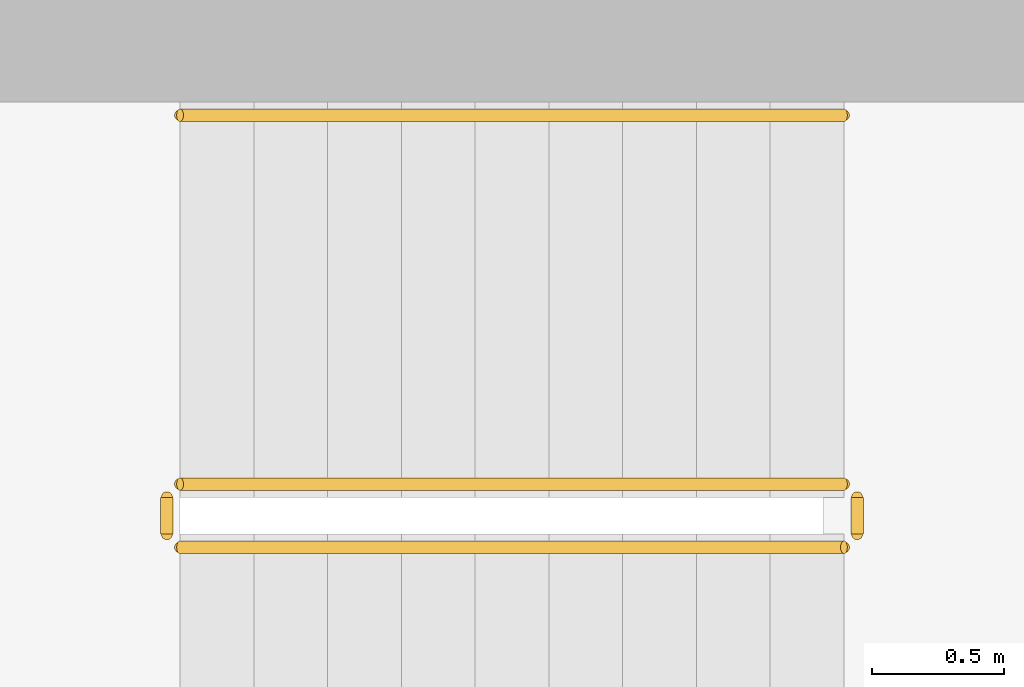
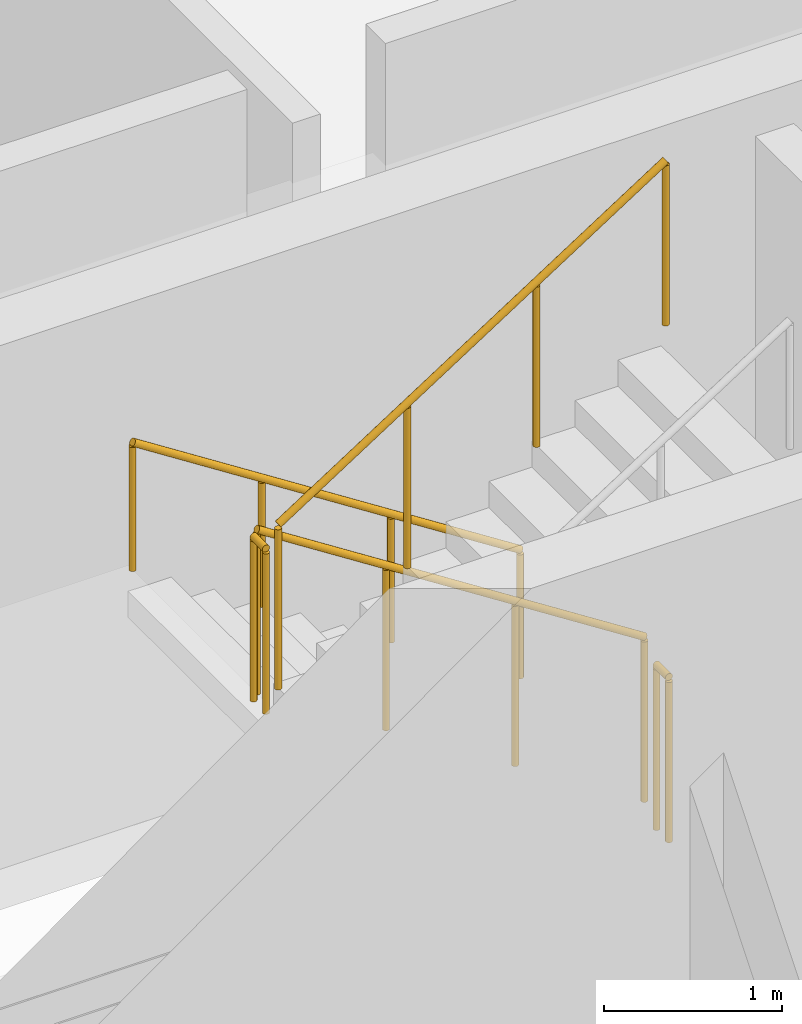
# One storey, part 12 of 13: 5 railings.
"""IFC4 building model written with IfcOpenShell, lengths in metres."""

from ifc_helpers import new_model, si_unit, derived_unit, direction, frame, origin, origin_2d, place, context, subcontext, project, spatial, circle, extrude, material, type_object, element, save


model = new_model("IFC4")

# Units and contexts
model_context = context("Model", 3, precision=1e-05, world=origin(), true_north=direction((0.0, 1.0)))
body_context = subcontext(model_context, "Body", "Model", "MODEL_VIEW")
ifc_project = project(units=[si_unit("LENGTHUNIT", "METRE"), si_unit("AREAUNIT", "SQUARE_METRE"), si_unit("VOLUMEUNIT", "CUBIC_METRE"), si_unit("PLANEANGLEUNIT", "RADIAN"), si_unit("MASSUNIT", "GRAM", prefix="KILO"), derived_unit("THERMALTRANSMITTANCEUNIT", [(si_unit("POWERUNIT", "WATT"), 1), (si_unit("LENGTHUNIT", "METRE"), -2), (si_unit("THERMODYNAMICTEMPERATUREUNIT", "KELVIN"), -1)])], contexts=[model_context])

# Site, building, storey
site_placement = place(None, origin())
site = spatial("IfcSite", under=ifc_project, at=site_placement, CompositionType="ELEMENT")
building_placement = place(site_placement, origin())
building = spatial("IfcBuilding", under=site, at=building_placement, Name="Kivonza Crest Hotel", CompositionType="ELEMENT")
storey_placement = place(building_placement, frame((0.0, 0.0, 231.5)))
storey = spatial("IfcBuildingStorey", under=building, at=storey_placement, Name="L63", CompositionType="ELEMENT", Elevation=231.5)

# Railings
ifc_material_1 = material(Name="Brushed stainless steel handrail", Category="steel")
railing_type_1 = type_object("IfcRailingType", Name="RL-HAND-900", PredefinedType="HANDRAIL", material=ifc_material_1)
railing_1_placement = place(storey_placement, frame((12.239990234375, 36.110107421875, 0.179931640625)))
element("IfcRailing", 1, at=railing_1_placement, inside=storey, type_object=railing_type_1, Name="L63 ST-T1-N stair handrail 1", PredefinedType="HANDRAIL", context=body_context, shape_type="SweptSolid", body=[
    extrude(circle(Radius=0.02392578125, at=origin_2d()), frame((0.0, 0.0, 0.8759765625), z_axis=(-0.841162588446, 0.0, 0.540782303519), x_axis=(0.0, -1.0, 0.0)), (0.0, 0.0, 1.0), 2.995849609375),
    extrude(circle(Radius=0.02099609375, at=origin_2d()), origin(), (0.0, 0.0, 1.0), 0.851806640625),
    extrude(circle(Radius=0.02099609375, at=origin_2d()), frame((-0.840087890625, 0.0, 0.5400390625)), (0.0, 0.0, 1.0), 0.851806640625),
    extrude(circle(Radius=0.02099609375, at=origin_2d()), frame((-1.679931640625, 0.0, 1.080078125)), (0.0, 0.0, 1.0), 0.851806640625),
    extrude(circle(Radius=0.02099609375, at=origin_2d()), frame((-2.52001953125, 0.0, 1.6201171875)), (0.0, 0.0, 1.0), 0.851806640625),
])
ifc_material_2 = material(Name="Painted steel balustrade", Category="steel")
railing_type_2 = type_object("IfcRailingType", Name="RL-STAIR-1150", PredefinedType="BALUSTRADE", material=ifc_material_2)
railing_2_placement = place(storey_placement, frame((12.239990234375, 34.7099609375, 0.179931640625)))
element("IfcRailing", 2, at=railing_2_placement, inside=storey, type_object=railing_type_2, Name="L63 ST-T1-N stair guard 1", PredefinedType="BALUSTRADE", context=body_context, shape_type="SweptSolid", body=[
    extrude(circle(Radius=0.02392578125, at=origin_2d()), frame((0.0, 0.0, 1.1259765625), z_axis=(-0.841162588446, 0.0, 0.540782303519), x_axis=(0.0, -1.0, 0.0)), (0.0, 0.0, 1.0), 2.995849609375),
    extrude(circle(Radius=0.02099609375, at=origin_2d()), origin(), (0.0, 0.0, 1.0), 1.101806640625),
    extrude(circle(Radius=0.02099609375, at=origin_2d()), frame((-0.840087890625, 0.0, 0.5400390625)), (0.0, 0.0, 1.0), 1.101806640625),
    extrude(circle(Radius=0.02099609375, at=origin_2d()), frame((-1.679931640625, 0.0, 1.080078125)), (0.0, 0.0, 1.0), 1.101806640625),
    extrude(circle(Radius=0.02099609375, at=origin_2d()), frame((-2.52001953125, 0.0, 1.6201171875)), (0.0, 0.0, 1.0), 1.101806640625),
])
railing_3_placement = place(storey_placement, frame((9.669921875, 34.659912109375, 1.800048828125)))
element("IfcRailing", 3, at=railing_3_placement, inside=storey, type_object=railing_type_2, Name="L63 ST-T1-N stair guard 2", PredefinedType="BALUSTRADE", context=body_context, shape_type="SweptSolid", body=[
    extrude(circle(Radius=0.02392578125, at=origin_2d()), frame((0.0, 0.0, 1.1259765625), z_axis=(0.0, -1.0, 0.0), x_axis=(1.0, 0.0, 0.0)), (0.0, 0.0, 1.0), 0.139892578125),
    extrude(circle(Radius=0.02099609375, at=origin_2d()), origin(), (0.0, 0.0, 1.0), 1.101806640625),
    extrude(circle(Radius=0.02099609375, at=origin_2d()), frame((0.0, -0.139892578125, 0.0)), (0.0, 0.0, 1.0), 1.101806640625),
])
railing_4_placement = place(storey_placement, frame((9.719970703125, 34.469970703125, 1.97998046875)))
element("IfcRailing", 4, at=railing_4_placement, inside=storey, type_object=railing_type_2, Name="L63 ST-T1-N stair guard 3", PredefinedType="BALUSTRADE", context=body_context, shape_type="SweptSolid", body=[
    extrude(circle(Radius=0.02392578125, at=origin_2d()), frame((0.0, 0.0, 1.1259765625), z_axis=(0.841162588446, 0.0, 0.540782303519), x_axis=(0.0, 1.0, 0.0)), (0.0, 0.0, 1.0), 2.995849609375),
    extrude(circle(Radius=0.02099609375, at=origin_2d()), origin(), (0.0, 0.0, 1.0), 1.101806640625),
    extrude(circle(Radius=0.02099609375, at=origin_2d()), frame((0.840087890625, 0.0, 0.5400390625)), (0.0, 0.0, 1.0), 1.101806640625),
    extrude(circle(Radius=0.02099609375, at=origin_2d()), frame((1.679931640625, 0.0, 1.080078125)), (0.0, 0.0, 1.0), 1.101806640625),
    extrude(circle(Radius=0.02099609375, at=origin_2d()), frame((2.52001953125, 0.0, 1.6201171875)), (0.0, 0.0, 1.0), 1.101806640625),
])
railing_5_placement = place(storey_placement, frame((12.2900390625, 34.659912109375, 0.0)))
element("IfcRailing", 5, at=railing_5_placement, inside=storey, type_object=railing_type_2, Name="L63 ST-T1-N stair guard 4", PredefinedType="BALUSTRADE", context=body_context, shape_type="SweptSolid", body=[
    extrude(circle(Radius=0.02392578125, at=origin_2d()), frame((0.0, 0.0, 1.1259765625), z_axis=(0.0, -1.0, 0.0), x_axis=(1.0, 0.0, 0.0)), (0.0, 0.0, 1.0), 0.139892578125),
    extrude(circle(Radius=0.02099609375, at=origin_2d()), origin(), (0.0, 0.0, 1.0), 1.101806640625),
    extrude(circle(Radius=0.02099609375, at=origin_2d()), frame((0.0, -0.139892578125, 0.0)), (0.0, 0.0, 1.0), 1.101806640625),
])

save(model, "model.ifc")
